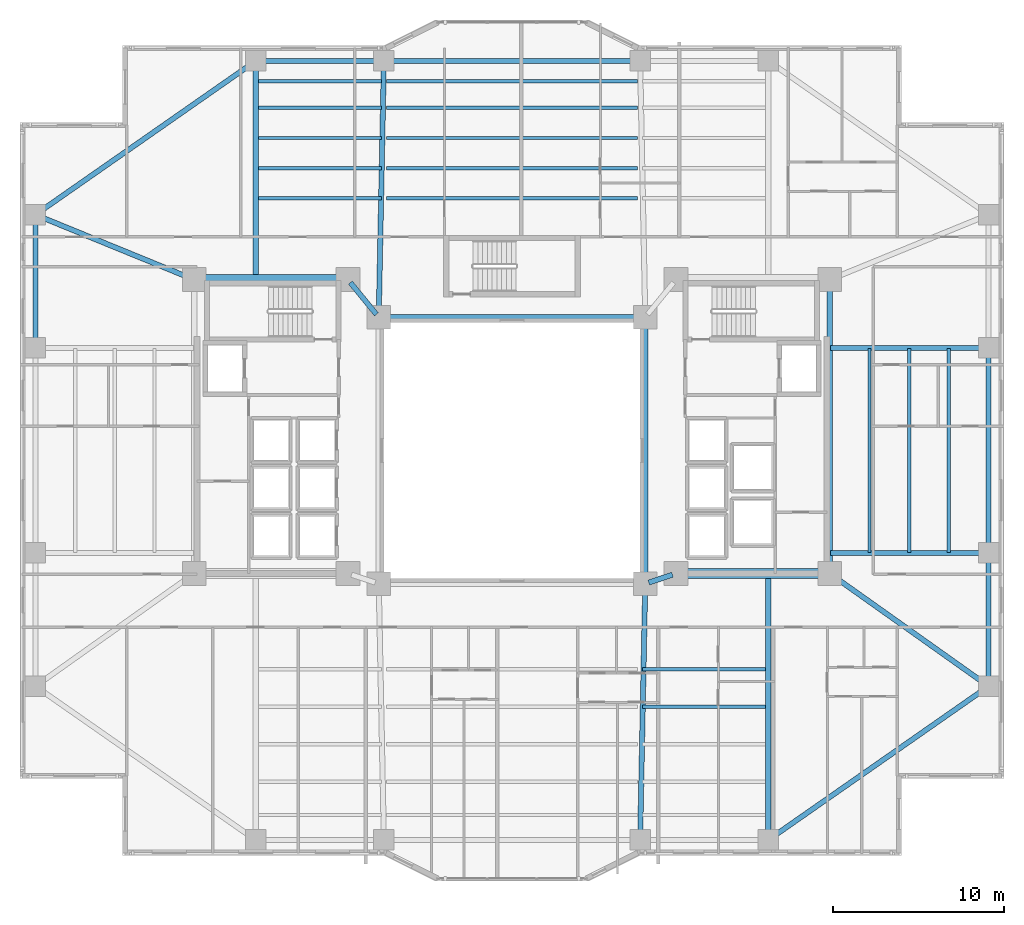
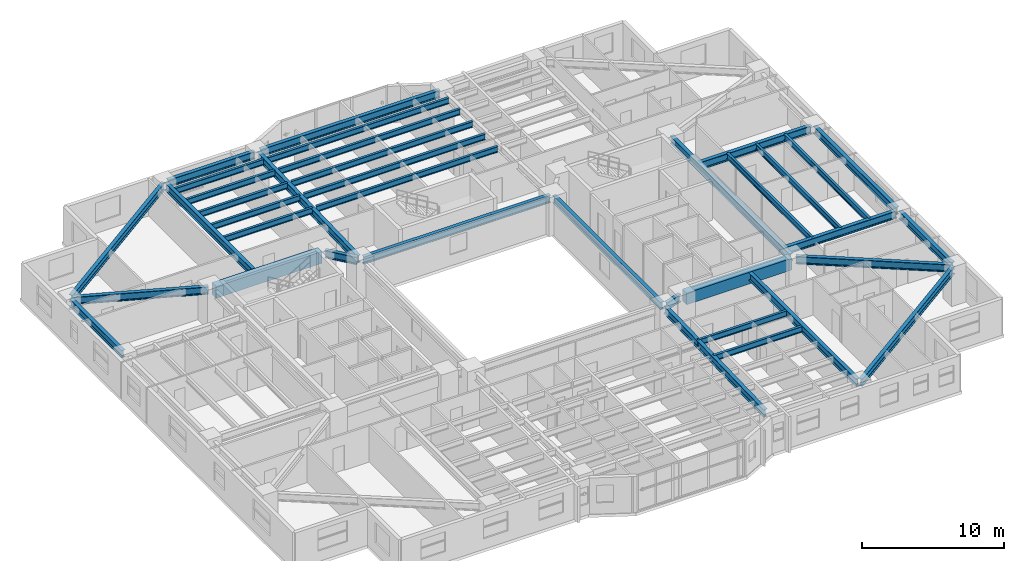
# One storey, part 5 of 21: 37 beams.
"""IFC4 building model written with IfcOpenShell, lengths in metres."""

from ifc_helpers import new_model, si_unit, direction, frame, origin, origin_2d, place, context, subcontext, project, spatial, rectangle, i_section, extrude, material, material_profile, profile_set, type_object, element, save


model = new_model("IFC4")

# Units and contexts
model_context = context("Model", 3, precision=1e-05, world=origin(), true_north=direction((0.0, 1.0)))
body_context = subcontext(model_context, "Body", "Model", "MODEL_VIEW")
ifc_project = project(units=[si_unit("LENGTHUNIT", "METRE"), si_unit("AREAUNIT", "SQUARE_METRE"), si_unit("VOLUMEUNIT", "CUBIC_METRE"), si_unit("PLANEANGLEUNIT", "RADIAN"), si_unit("MASSUNIT", "GRAM", prefix="KILO")], contexts=[model_context])

# Site, building, storey
site_placement = place(None, origin())
site = spatial("IfcSite", under=ifc_project, at=site_placement, CompositionType="ELEMENT")
building_placement = place(site_placement, origin())
building = spatial("IfcBuilding", under=site, at=building_placement, Name="Tarnavaz Court Tower", CompositionType="ELEMENT")
storey_placement = place(building_placement, frame((0.0, 0.0, 47.449951171875)))
storey = spatial("IfcBuildingStorey", under=building, at=storey_placement, Name="L12", CompositionType="ELEMENT", Elevation=47.449951171875)

# Beams
ifc_material_1 = material(Name="Concrete C60/75", Category="concrete")
ifc_material_profile_1 = material_profile(ifc_material_1, rectangle(XDim=0.60009765625, YDim=1.0, at=origin_2d()), Name="RC 600X1000")
ifc_profile_set_1 = profile_set([ifc_material_profile_1], Name="Concrete C60/75")
beam_type_1 = type_object("IfcBeamType", Name="BM-CB1000", PredefinedType="LINTEL", material=ifc_profile_set_1)
for number, where, z_axis, x_axis, name in (
    (1, (-18.3798828125, 10.0, 2.60009765625), (1.0, 0.0, 0.0), (0.0, 1.0, 0.0), "L12 Beam IN-CW-NO-CW-NI"),
    (2, (18.3798828125, -7.199951171875, 2.60009765625), (-1.0, 0.0, 0.0), (0.0, -1.0, 0.0), "L12 Beam IN-CE-SO-CE-SI"),
):
    element("IfcBeam", number, at=place(storey_placement, frame(where, z_axis=z_axis, x_axis=x_axis)), inside=storey, type_object=beam_type_1, Name=name, PredefinedType="LINTEL", context=body_context, shape_type="SweptSolid", body=[
        extrude(rectangle(XDim=0.60009765625, YDim=1.0, at=origin_2d()), origin(), (0.0, 0.0, 1.0), 8.559814453125),
    ])
ifc_material_2 = material(Name="Steel S355", Category="steel")
ifc_material_profile_2 = material_profile(ifc_material_2, i_section(OverallWidth=0.300048828125, OverallDepth=0.64990234375, WebThickness=0.01611328125, FlangeThickness=0.031005859375, FilletRadius=0.027099609375, at=origin_2d()), Name="HEB 650")
ifc_profile_set_2 = profile_set([ifc_material_profile_2], Name="Steel S355")
beam_type_2 = type_object("IfcBeamType", Name="BM-G-HEB650", PredefinedType="USERDEFINED", material=ifc_profile_set_2)
beam_1_placement = place(storey_placement, frame((9.391357421875, -7.26953125, 2.775146484375), z_axis=(-0.948666544706, -0.316278021615, 0.0), x_axis=(0.316278021615, -0.948666544706, 0.0)))
element("IfcBeam", 3, at=beam_1_placement, inside=storey, type_object=beam_type_2, Name="L12 Beam IN-CE-SI-IW-SE", ObjectType="GIRDER", PredefinedType="USERDEFINED", context=body_context, shape_type="SweptSolid", body=[
    extrude(i_section(OverallWidth=0.300048828125, OverallDepth=0.64990234375, WebThickness=0.01611328125, FlangeThickness=0.031005859375, FilletRadius=0.027099609375, at=origin_2d()), origin(), (0.0, 0.0, 1.0), 1.457275390625),
])
beam_2_placement = place(storey_placement, frame((-9.460693359375, 9.82958984375, 2.775146484375), z_axis=(0.633282058357, -0.773921077735, 0.0), x_axis=(0.773921077735, 0.633282058357, 0.0)))
element("IfcBeam", 4, at=beam_2_placement, inside=storey, type_object=beam_type_2, Name="L12 Beam IN-CW-NI-IW-NW", ObjectType="GIRDER", PredefinedType="USERDEFINED", context=body_context, shape_type="SweptSolid", body=[
    extrude(i_section(OverallWidth=0.300048828125, OverallDepth=0.64990234375, WebThickness=0.01611328125, FlangeThickness=0.031005859375, FilletRadius=0.027099609375, at=origin_2d()), origin(), (0.0, 0.0, 1.0), 2.402587890625),
])
beam_3_placement = place(storey_placement, frame((18.60009765625, -6.97998046875, 2.775146484375), z_axis=(0.0, 1.0, 0.0), x_axis=(-1.0, 0.0, 0.0)))
element("IfcBeam", 5, at=beam_3_placement, inside=storey, type_object=beam_type_2, Name="L12 Beam IN-CE-SO-CE-NO", ObjectType="GIRDER", PredefinedType="USERDEFINED", context=body_context, shape_type="SweptSolid", body=[
    extrude(i_section(OverallWidth=0.300048828125, OverallDepth=0.64990234375, WebThickness=0.01611328125, FlangeThickness=0.031005859375, FilletRadius=0.027099609375, at=origin_2d()), origin(), (0.0, 0.0, 1.0), 16.760009765625),
])
beam_4_placement = place(storey_placement, frame((-15.0, 10.0400390625, 2.775146484375), z_axis=(0.0, 1.0, 0.0), x_axis=(-1.0, 0.0, 0.0)))
element("IfcBeam", 6, at=beam_4_placement, inside=storey, type_object=beam_type_2, Name="L12 Beam RG-01", ObjectType="GIRDER", PredefinedType="USERDEFINED", context=body_context, shape_type="SweptSolid", body=[
    extrude(i_section(OverallWidth=0.300048828125, OverallDepth=0.64990234375, WebThickness=0.01611328125, FlangeThickness=0.031005859375, FilletRadius=0.027099609375, at=origin_2d()), origin(), (0.0, 0.0, 1.0), 12.5400390625),
])
for number, where, z_axis, x_axis, name in (
    (7, (-7.795654296875, 8.02001953125, 2.775146484375), (0.020000023066, 0.999799979535, 0.0), (-0.999799979535, 0.020000023066, 0.0), "L12 Beam RG-02"),
    (8, (7.795654296875, -8.02001953125, 2.775146484375), (-0.020000023066, -0.999799979535, 0.0), (0.999799979535, -0.020000023066, 0.0), "L12 Beam RG-07"),
):
    element("IfcBeam", number, at=place(storey_placement, frame(where, z_axis=z_axis, x_axis=x_axis)), inside=storey, type_object=beam_type_2, Name=name, ObjectType="GIRDER", PredefinedType="USERDEFINED", context=body_context, shape_type="SweptSolid", body=[
        extrude(i_section(OverallWidth=0.300048828125, OverallDepth=0.64990234375, WebThickness=0.01611328125, FlangeThickness=0.031005859375, FilletRadius=0.027099609375, at=origin_2d()), origin(), (0.0, 0.0, 1.0), 14.56298828125),
    ])
beam_5_placement = place(storey_placement, frame((15.0, -7.239990234375, 2.775146484375), z_axis=(0.0, -1.0, 0.0), x_axis=(1.0, 0.0, 0.0)))
element("IfcBeam", 9, at=beam_5_placement, inside=storey, type_object=beam_type_2, Name="L12 Beam RG-08", ObjectType="GIRDER", PredefinedType="USERDEFINED", context=body_context, shape_type="SweptSolid", body=[
    extrude(i_section(OverallWidth=0.300048828125, OverallDepth=0.64990234375, WebThickness=0.01611328125, FlangeThickness=0.031005859375, FilletRadius=0.027099609375, at=origin_2d()), origin(), (0.0, 0.0, 1.0), 15.340087890625),
])
for number, where, z_axis, x_axis, name in (
    (10, (18.639892578125, -6.0, 2.775146484375), (1.0, 0.0, 0.0), (0.0, 1.0, 0.0), "L12 Beam RG-09"),
    (11, (18.639892578125, 6.0, 2.775146484375), (1.0, 0.0, 0.0), (0.0, 1.0, 0.0), "L12 Beam RG-10"),
):
    element("IfcBeam", number, at=place(storey_placement, frame(where, z_axis=z_axis, x_axis=x_axis)), inside=storey, type_object=beam_type_2, Name=name, ObjectType="GIRDER", PredefinedType="USERDEFINED", context=body_context, shape_type="SweptSolid", body=[
        extrude(i_section(OverallWidth=0.300048828125, OverallDepth=0.64990234375, WebThickness=0.01611328125, FlangeThickness=0.031005859375, FilletRadius=0.027099609375, at=origin_2d()), origin(), (0.0, 0.0, 1.0), 9.0400390625),
    ])
beam_6_placement = place(storey_placement, frame((18.779296875, -7.327392578125, 2.775146484375), z_axis=(0.815520027245, -0.578728852886, 0.0), x_axis=(0.578728852886, 0.815520027245, 0.0)))
element("IfcBeam", 12, at=beam_6_placement, inside=storey, type_object=beam_type_2, Name="L12 Beam RG-11", ObjectType="GIRDER", PredefinedType="USERDEFINED", context=body_context, shape_type="SweptSolid", body=[
    extrude(i_section(OverallWidth=0.300048828125, OverallDepth=0.64990234375, WebThickness=0.01611328125, FlangeThickness=0.031005859375, FilletRadius=0.027099609375, at=origin_2d()), origin(), (0.0, 0.0, 1.0), 10.964111328125),
])
beam_7_placement = place(storey_placement, frame((-18.8037109375, 10.083251953125, 2.775146484375), z_axis=(-0.925704761705, 0.378246869329, 0.0), x_axis=(-0.378246869329, -0.925704761705, 0.0)))
element("IfcBeam", 13, at=beam_7_placement, inside=storey, type_object=beam_type_2, Name="L12 Beam RG-16", ObjectType="GIRDER", PredefinedType="USERDEFINED", context=body_context, shape_type="SweptSolid", body=[
    extrude(i_section(OverallWidth=0.300048828125, OverallDepth=0.64990234375, WebThickness=0.01611328125, FlangeThickness=0.031005859375, FilletRadius=0.027099609375, at=origin_2d()), origin(), (0.0, 0.0, 1.0), 9.606201171875),
])
ifc_material_profile_3 = material_profile(ifc_material_2, i_section(OverallWidth=0.199951171875, OverallDepth=0.5, WebThickness=0.01025390625, FlangeThickness=0.01611328125, FilletRadius=0.02099609375, at=origin_2d()), Name="IPE 500")
ifc_profile_set_3 = profile_set([ifc_material_profile_3], Name="Steel S355")
beam_type_3 = type_object("IfcBeamType", Name="BM-J-IPE500", PredefinedType="JOIST", material=ifc_profile_set_3)
beam_8_placement = place(storey_placement, frame((-14.85009765625, 14.763916015625, 2.85009765625), z_axis=(1.0, 0.0, 0.0), x_axis=(0.0, 1.0, 0.0)))
element("IfcBeam", 14, at=beam_8_placement, inside=storey, type_object=beam_type_3, Name="L12 Beam JN1-1", PredefinedType="JOIST", context=body_context, shape_type="SweptSolid", body=[
    extrude(i_section(OverallWidth=0.199951171875, OverallDepth=0.5, WebThickness=0.01025390625, FlangeThickness=0.01611328125, FilletRadius=0.02099609375, at=origin_2d()), origin(), (0.0, 0.0, 1.0), 7.2001953125),
])
beam_9_placement = place(storey_placement, frame((-7.35009765625, 14.763916015625, 2.85009765625), z_axis=(1.0, 0.0, 0.0), x_axis=(0.0, 1.0, 0.0)))
element("IfcBeam", 15, at=beam_9_placement, inside=storey, type_object=beam_type_3, Name="L12 Beam JN1-2", PredefinedType="JOIST", context=body_context, shape_type="SweptSolid", body=[
    extrude(i_section(OverallWidth=0.199951171875, OverallDepth=0.5, WebThickness=0.01025390625, FlangeThickness=0.01611328125, FilletRadius=0.02099609375, at=origin_2d()), origin(), (0.0, 0.0, 1.0), 14.7001953125),
])
for number, where, z_axis, x_axis, name in (
    (16, (7.64990234375, -12.7958984375, 2.85009765625), (1.0, 0.0, 0.0), (0.0, 1.0, 0.0), "L12 Beam JS1-3"),
    (17, (-14.85009765625, 16.528076171875, 2.85009765625), (1.0, 0.0, 0.0), (0.0, 1.0, 0.0), "L12 Beam JN2-1"),
):
    element("IfcBeam", number, at=place(storey_placement, frame(where, z_axis=z_axis, x_axis=x_axis)), inside=storey, type_object=beam_type_3, Name=name, PredefinedType="JOIST", context=body_context, shape_type="SweptSolid", body=[
        extrude(i_section(OverallWidth=0.199951171875, OverallDepth=0.5, WebThickness=0.01025390625, FlangeThickness=0.01611328125, FilletRadius=0.02099609375, at=origin_2d()), origin(), (0.0, 0.0, 1.0), 7.2001953125),
    ])
beam_10_placement = place(storey_placement, frame((-7.35009765625, 16.528076171875, 2.85009765625), z_axis=(1.0, 0.0, 0.0), x_axis=(0.0, 1.0, 0.0)))
element("IfcBeam", 18, at=beam_10_placement, inside=storey, type_object=beam_type_3, Name="L12 Beam JN2-2", PredefinedType="JOIST", context=body_context, shape_type="SweptSolid", body=[
    extrude(i_section(OverallWidth=0.199951171875, OverallDepth=0.5, WebThickness=0.01025390625, FlangeThickness=0.01611328125, FilletRadius=0.02099609375, at=origin_2d()), origin(), (0.0, 0.0, 1.0), 14.7001953125),
])
for number, where, z_axis, x_axis, name in (
    (19, (7.64990234375, -14.991943359375, 2.85009765625), (1.0, 0.0, 0.0), (0.0, 1.0, 0.0), "L12 Beam JS2-3"),
    (20, (-14.85009765625, 18.2919921875, 2.85009765625), (1.0, 0.0, 0.0), (0.0, 1.0, 0.0), "L12 Beam JN3-1"),
):
    element("IfcBeam", number, at=place(storey_placement, frame(where, z_axis=z_axis, x_axis=x_axis)), inside=storey, type_object=beam_type_3, Name=name, PredefinedType="JOIST", context=body_context, shape_type="SweptSolid", body=[
        extrude(i_section(OverallWidth=0.199951171875, OverallDepth=0.5, WebThickness=0.01025390625, FlangeThickness=0.01611328125, FilletRadius=0.02099609375, at=origin_2d()), origin(), (0.0, 0.0, 1.0), 7.2001953125),
    ])
beam_11_placement = place(storey_placement, frame((-7.35009765625, 18.2919921875, 2.85009765625), z_axis=(1.0, 0.0, 0.0), x_axis=(0.0, 1.0, 0.0)))
element("IfcBeam", 21, at=beam_11_placement, inside=storey, type_object=beam_type_3, Name="L12 Beam JN3-2", PredefinedType="JOIST", context=body_context, shape_type="SweptSolid", body=[
    extrude(i_section(OverallWidth=0.199951171875, OverallDepth=0.5, WebThickness=0.01025390625, FlangeThickness=0.01611328125, FilletRadius=0.02099609375, at=origin_2d()), origin(), (0.0, 0.0, 1.0), 14.7001953125),
])
beam_12_placement = place(storey_placement, frame((-14.85009765625, 20.055908203125, 2.85009765625), z_axis=(1.0, 0.0, 0.0), x_axis=(0.0, 1.0, 0.0)))
element("IfcBeam", 22, at=beam_12_placement, inside=storey, type_object=beam_type_3, Name="L12 Beam JN4-1", PredefinedType="JOIST", context=body_context, shape_type="SweptSolid", body=[
    extrude(i_section(OverallWidth=0.199951171875, OverallDepth=0.5, WebThickness=0.01025390625, FlangeThickness=0.01611328125, FilletRadius=0.02099609375, at=origin_2d()), origin(), (0.0, 0.0, 1.0), 7.2001953125),
])
beam_13_placement = place(storey_placement, frame((-7.35009765625, 20.055908203125, 2.85009765625), z_axis=(1.0, 0.0, 0.0), x_axis=(0.0, 1.0, 0.0)))
element("IfcBeam", 23, at=beam_13_placement, inside=storey, type_object=beam_type_3, Name="L12 Beam JN4-2", PredefinedType="JOIST", context=body_context, shape_type="SweptSolid", body=[
    extrude(i_section(OverallWidth=0.199951171875, OverallDepth=0.5, WebThickness=0.01025390625, FlangeThickness=0.01611328125, FilletRadius=0.02099609375, at=origin_2d()), origin(), (0.0, 0.0, 1.0), 14.7001953125),
])
beam_14_placement = place(storey_placement, frame((-14.85009765625, 21.6240234375, 2.85009765625), z_axis=(1.0, 0.0, 0.0), x_axis=(0.0, 1.0, 0.0)))
element("IfcBeam", 24, at=beam_14_placement, inside=storey, type_object=beam_type_3, Name="L12 Beam JN5-1", PredefinedType="JOIST", context=body_context, shape_type="SweptSolid", body=[
    extrude(i_section(OverallWidth=0.199951171875, OverallDepth=0.5, WebThickness=0.01025390625, FlangeThickness=0.01611328125, FilletRadius=0.02099609375, at=origin_2d()), origin(), (0.0, 0.0, 1.0), 7.2001953125),
])
beam_15_placement = place(storey_placement, frame((-7.35009765625, 21.6240234375, 2.85009765625), z_axis=(1.0, 0.0, 0.0), x_axis=(0.0, 1.0, 0.0)))
element("IfcBeam", 25, at=beam_15_placement, inside=storey, type_object=beam_type_3, Name="L12 Beam JN5-2", PredefinedType="JOIST", context=body_context, shape_type="SweptSolid", body=[
    extrude(i_section(OverallWidth=0.199951171875, OverallDepth=0.5, WebThickness=0.01025390625, FlangeThickness=0.01611328125, FilletRadius=0.02099609375, at=origin_2d()), origin(), (0.0, 0.0, 1.0), 14.7001953125),
])
for number, where, z_axis, x_axis, name in (
    (26, (20.925048828125, -5.9599609375, 2.85009765625), (0.0, 1.0, 0.0), (-1.0, 0.0, 0.0), "L12 Beam JE1"),
    (27, (23.25, -5.9599609375, 2.85009765625), (0.0, 1.0, 0.0), (-1.0, 0.0, 0.0), "L12 Beam JE2"),
    (28, (25.574951171875, -5.9599609375, 2.85009765625), (0.0, 1.0, 0.0), (-1.0, 0.0, 0.0), "L12 Beam JE3"),
):
    element("IfcBeam", number, at=place(storey_placement, frame(where, z_axis=z_axis, x_axis=x_axis)), inside=storey, type_object=beam_type_3, Name=name, PredefinedType="JOIST", context=body_context, shape_type="SweptSolid", body=[
        extrude(i_section(OverallWidth=0.199951171875, OverallDepth=0.5, WebThickness=0.01025390625, FlangeThickness=0.01611328125, FilletRadius=0.02099609375, at=origin_2d()), origin(), (0.0, 0.0, 1.0), 11.919921875),
    ])
ifc_material_profile_4 = material_profile(ifc_material_2, i_section(OverallWidth=0.300048828125, OverallDepth=0.639892578125, WebThickness=0.013427734375, FlangeThickness=0.02587890625, FilletRadius=0.027099609375, at=origin_2d()), Name="HEA 650")
ifc_profile_set_4 = profile_set([ifc_material_profile_4], Name="Steel S355")
beam_type_4 = type_object("IfcBeamType", Name="BM-SP-HEA650", PredefinedType="SPANDREL", material=ifc_profile_set_4)
for number, where, z_axis, x_axis, name in (
    (29, (-7.580078125, 7.800048828125, 2.780029296875), (1.0, 0.0, 0.0), (0.0, 1.0, 0.0), "L12 Beam IN-IW-NW-IW-NE"),
    (30, (7.800048828125, -7.580078125, 2.780029296875), (0.0, 1.0, 0.0), (-1.0, 0.0, 0.0), "L12 Beam IN-IW-SE-IW-NE"),
):
    element("IfcBeam", number, at=place(storey_placement, frame(where, z_axis=z_axis, x_axis=x_axis)), inside=storey, type_object=beam_type_4, Name=name, PredefinedType="SPANDREL", context=body_context, shape_type="SweptSolid", body=[
        extrude(i_section(OverallWidth=0.300048828125, OverallDepth=0.639892578125, WebThickness=0.013427734375, FlangeThickness=0.02587890625, FilletRadius=0.027099609375, at=origin_2d()), origin(), (0.0, 0.0, 1.0), 15.16015625),
    ])
beam_16_placement = place(storey_placement, frame((-14.780029296875, 22.800048828125, 2.780029296875), z_axis=(1.0, 0.0, 0.0), x_axis=(0.0, 1.0, 0.0)))
element("IfcBeam", 31, at=beam_16_placement, inside=storey, type_object=beam_type_4, Name="L12 Beam PR-PN-1-PN-2", PredefinedType="SPANDREL", context=body_context, shape_type="SweptSolid", body=[
    extrude(i_section(OverallWidth=0.300048828125, OverallDepth=0.639892578125, WebThickness=0.013427734375, FlangeThickness=0.02587890625, FilletRadius=0.027099609375, at=origin_2d()), origin(), (0.0, 0.0, 1.0), 7.06005859375),
])
beam_17_placement = place(storey_placement, frame((-7.280029296875, 22.800048828125, 2.780029296875), z_axis=(1.0, 0.0, 0.0), x_axis=(0.0, 1.0, 0.0)))
element("IfcBeam", 32, at=beam_17_placement, inside=storey, type_object=beam_type_4, Name="L12 Beam PR-PN-2-PN-3", PredefinedType="SPANDREL", context=body_context, shape_type="SweptSolid", body=[
    extrude(i_section(OverallWidth=0.300048828125, OverallDepth=0.639892578125, WebThickness=0.013427734375, FlangeThickness=0.02587890625, FilletRadius=0.027099609375, at=origin_2d()), origin(), (0.0, 0.0, 1.0), 14.56005859375),
])
beam_18_placement = place(storey_placement, frame((27.89990234375, -13.580078125, 2.780029296875), z_axis=(0.0, 1.0, 0.0), x_axis=(-1.0, 0.0, 0.0)))
element("IfcBeam", 33, at=beam_18_placement, inside=storey, type_object=beam_type_4, Name="L12 Beam PR-PE-1-PE-2", PredefinedType="SPANDREL", context=body_context, shape_type="SweptSolid", body=[
    extrude(i_section(OverallWidth=0.300048828125, OverallDepth=0.639892578125, WebThickness=0.013427734375, FlangeThickness=0.02587890625, FilletRadius=0.027099609375, at=origin_2d()), origin(), (0.0, 0.0, 1.0), 7.360107421875),
])
beam_19_placement = place(storey_placement, frame((27.89990234375, -5.780029296875, 2.780029296875), z_axis=(0.0, 1.0, 0.0), x_axis=(-1.0, 0.0, 0.0)))
element("IfcBeam", 34, at=beam_19_placement, inside=storey, type_object=beam_type_4, Name="L12 Beam PR-PE-2-PE-3", PredefinedType="SPANDREL", context=body_context, shape_type="SweptSolid", body=[
    extrude(i_section(OverallWidth=0.300048828125, OverallDepth=0.639892578125, WebThickness=0.013427734375, FlangeThickness=0.02587890625, FilletRadius=0.027099609375, at=origin_2d()), origin(), (0.0, 0.0, 1.0), 11.56005859375),
])
beam_20_placement = place(storey_placement, frame((-27.89990234375, 6.219970703125, 2.780029296875), z_axis=(0.0, 1.0, 0.0), x_axis=(-1.0, 0.0, 0.0)))
element("IfcBeam", 35, at=beam_20_placement, inside=storey, type_object=beam_type_4, Name="L12 Beam PR-PW-3-PW-4", PredefinedType="SPANDREL", context=body_context, shape_type="SweptSolid", body=[
    extrude(i_section(OverallWidth=0.300048828125, OverallDepth=0.639892578125, WebThickness=0.013427734375, FlangeThickness=0.02587890625, FilletRadius=0.027099609375, at=origin_2d()), origin(), (0.0, 0.0, 1.0), 7.360107421875),
])
for number, where, z_axis, x_axis, name in (
    (36, (27.719482421875, -13.92578125, 2.780029296875), (-0.820123643324, -0.572186341729, 0.0), (0.572186341729, -0.820123643324, 0.0), "L12 Beam PR-PE-1-PS-4"),
    (37, (-27.719482421875, 13.92578125, 2.780029296875), (0.820123643324, 0.572186341729, 0.0), (-0.572186341729, 0.820123643324, 0.0), "L12 Beam PR-PW-4-PN-1"),
):
    element("IfcBeam", number, at=place(storey_placement, frame(where, z_axis=z_axis, x_axis=x_axis)), inside=storey, type_object=beam_type_4, Name=name, PredefinedType="SPANDREL", context=body_context, shape_type="SweptSolid", body=[
        extrude(i_section(OverallWidth=0.300048828125, OverallDepth=0.639892578125, WebThickness=0.013427734375, FlangeThickness=0.02587890625, FilletRadius=0.027099609375, at=origin_2d()), origin(), (0.0, 0.0, 1.0), 15.289306640625),
    ])

save(model, "model.ifc")
